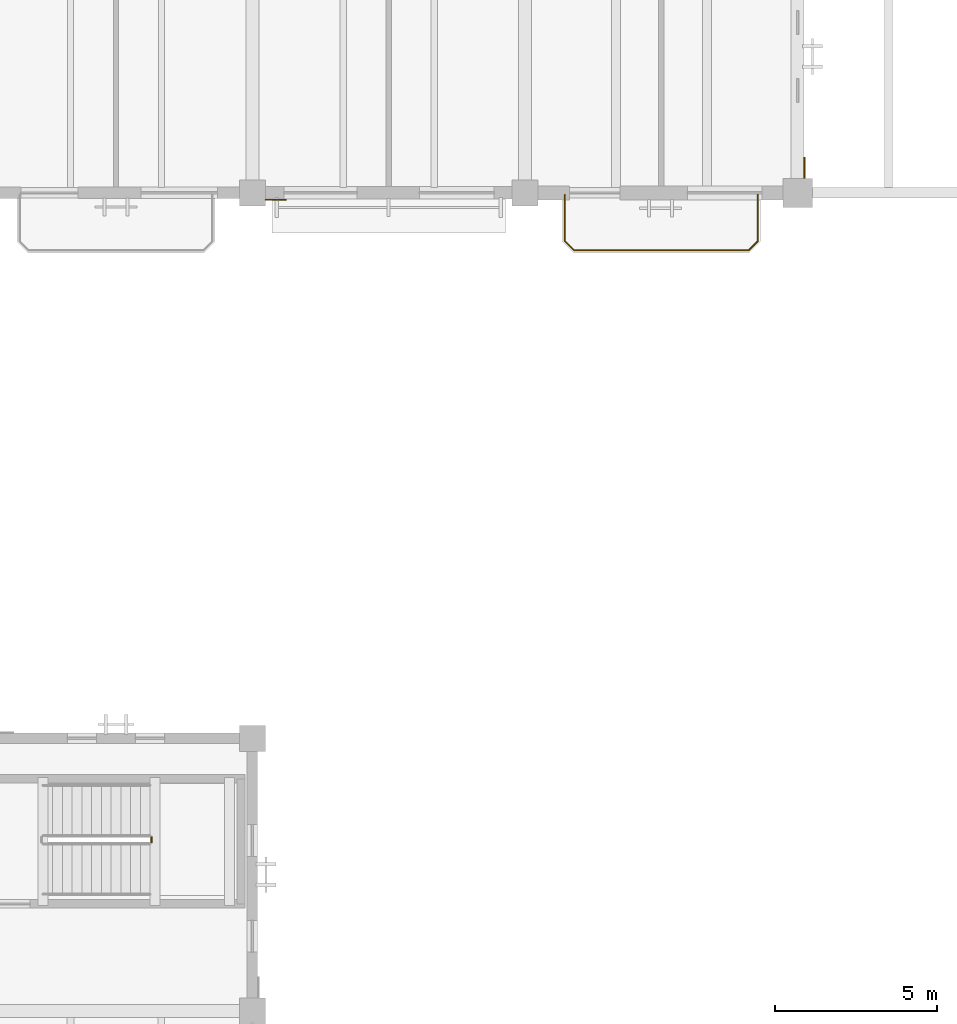
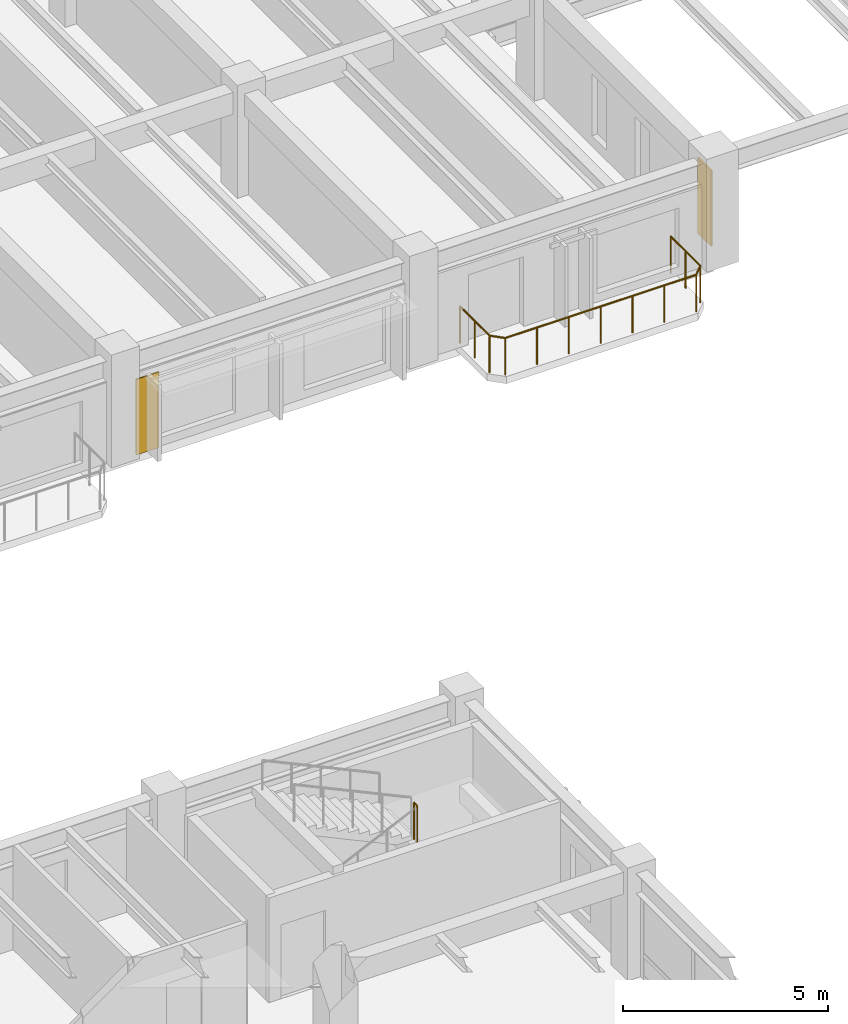
# One storey, part 118 of 123: 2 coverings, 2 railings.
"""IFC4 building model written with IfcOpenShell, lengths in metres."""

from ifc_helpers import new_model, si_unit, direction, frame, origin, origin_2d, place, context, subcontext, project, spatial, polyline, circle, outline, extrude, material, layer, layer_set, type_object, element, save


model = new_model("IFC4")

# Units and contexts
model_context = context("Model", 3, precision=1e-05, world=origin(), true_north=direction((0.0, 1.0)))
body_context = subcontext(model_context, "Body", "Model", "MODEL_VIEW")
ifc_project = project(units=[si_unit("LENGTHUNIT", "METRE"), si_unit("AREAUNIT", "SQUARE_METRE"), si_unit("VOLUMEUNIT", "CUBIC_METRE"), si_unit("PLANEANGLEUNIT", "RADIAN"), si_unit("MASSUNIT", "GRAM", prefix="KILO")], contexts=[model_context])

# Site, building, storey
site_placement = place(None, origin())
site = spatial("IfcSite", under=ifc_project, at=site_placement, CompositionType="ELEMENT")
building_placement = place(site_placement, origin())
building = spatial("IfcBuilding", under=site, at=building_placement, Name="Cumbredor Promenade Congress Hotel", CompositionType="ELEMENT")
storey_placement = place(building_placement, frame((0.0, 0.0, 11.760009765625)))
storey = spatial("IfcBuildingStorey", under=building, at=storey_placement, Name="L03", CompositionType="ELEMENT", Elevation=11.760009765625)

# Covering
ifc_material_1 = material(Name="Precast concrete C40/50", Category="concrete")
ifc_layer_1 = layer(ifc_material_1, 0.044921875, Name="Precast concrete C40/50", Category="concrete")
ifc_layer_set_1 = layer_set([ifc_layer_1], Name="Precast concrete C40/50")
covering_type_1 = type_object("IfcCoveringType", Name="Board-Formed Architectural Cladding Panel 45mm", PredefinedType="CLADDING", material=ifc_layer_set_1)
covering_1_placement = place(storey_placement, origin())
element("IfcCovering", 1, at=covering_1_placement, inside=storey, type_object=covering_type_1, Name="L03 Facade Stone Cladding Pier 162", PredefinedType="CLADDING", context=body_context, shape_type="SweptSolid", body=[
    extrude(outline(polyline([(84.18994140625, 84.450927734375), (84.18994140625, 85.10107421875), (84.235107421875, 85.10107421875), (84.235107421875, 84.450927734375), (84.18994140625, 84.450927734375)])), origin(), (0.0, 0.0, 1.0), 2.25),
])

# Railings
ifc_material_2 = material(Name="Brushed stainless steel", Category="steel")
railing_type_1 = type_object("IfcRailingType", Name="Interior Void & Stair Guardrail GR-1100", PredefinedType="GUARDRAIL", material=ifc_material_2)
railing_1_placement = place(storey_placement, frame((64.10009765625, 64.0, 1.679931640625)))
element("IfcRailing", 2, at=railing_1_placement, inside=storey, type_object=railing_type_1, Name="L03 ST-07 stair guard 2", PredefinedType="GUARDRAIL", context=body_context, shape_type="SweptSolid", body=[
    extrude(circle(Radius=0.02392578125, at=origin_2d()), frame((0.0, 0.0, 1.09619140625), z_axis=(0.0, 1.0, 0.0), x_axis=(-1.0, 0.0, 0.0)), (0.0, 0.0, 1.0), 0.14990234375),
    extrude(circle(Radius=0.02099609375, at=origin_2d()), origin(), (0.0, 0.0, 1.0), 1.072021484375),
    extrude(circle(Radius=0.02099609375, at=origin_2d()), frame((0.0, 0.14990234375, 0.0)), (0.0, 0.0, 1.0), 1.072021484375),
])
railing_type_2 = type_object("IfcRailingType", Name="Terrace Perimeter Balustrade BAL-1120", PredefinedType="BALUSTRADE", material=ifc_material_2)
railing_2_placement = place(storey_placement, frame((76.830078125, 83.949951171875, 0.0)))
element("IfcRailing", 3, at=railing_2_placement, inside=storey, type_object=railing_type_2, Name="L03 Veranda Balcony Balustrade 019", PredefinedType="BALUSTRADE", context=body_context, shape_type="SweptSolid", body=[
    extrude(circle(Radius=0.02392578125, at=origin_2d()), frame((0.0, 0.0, 1.09619140625), z_axis=(0.0, -1.0, 0.0), x_axis=(1.0, 0.0, 0.0)), (0.0, 0.0, 1.0), 1.43994140625),
    extrude(circle(Radius=0.02392578125, at=origin_2d()), frame((0.0, -1.43994140625, 1.09619140625), z_axis=(0.707106781187, -0.707106781187, 0.0), x_axis=(0.707106781187, 0.707106781187, 0.0)), (0.0, 0.0, 1.0), 0.39599609375),
    extrude(circle(Radius=0.02392578125, at=origin_2d()), frame((0.280029296875, -1.719970703125, 1.09619140625), z_axis=(1.0, 0.0, 0.0), x_axis=(0.0, 1.0, 0.0)), (0.0, 0.0, 1.0), 5.3798828125),
    extrude(circle(Radius=0.02392578125, at=origin_2d()), frame((5.659912109375, -1.719970703125, 1.09619140625), z_axis=(0.707106781187, 0.707106781187, 0.0), x_axis=(-0.707106781187, 0.707106781187, 0.0)), (0.0, 0.0, 1.0), 0.39599609375),
    extrude(circle(Radius=0.02392578125, at=origin_2d()), frame((5.93994140625, -1.43994140625, 1.09619140625), z_axis=(0.0, 1.0, 0.0), x_axis=(-1.0, 0.0, 0.0)), (0.0, 0.0, 1.0), 1.43994140625),
    extrude(circle(Radius=0.02099609375, at=origin_2d()), origin(), (0.0, 0.0, 1.0), 1.072021484375),
    extrude(circle(Radius=0.02099609375, at=origin_2d()), frame((0.0, -0.719970703125, 0.0)), (0.0, 0.0, 1.0), 1.072021484375),
    extrude(circle(Radius=0.02099609375, at=origin_2d()), frame((0.0, -1.43994140625, 0.0)), (0.0, 0.0, 1.0), 1.072021484375),
    extrude(circle(Radius=0.02099609375, at=origin_2d()), frame((0.280029296875, -1.719970703125, 0.0)), (0.0, 0.0, 1.0), 1.072021484375),
    extrude(circle(Radius=0.02099609375, at=origin_2d()), frame((1.1767578125, -1.719970703125, 0.0)), (0.0, 0.0, 1.0), 1.072021484375),
    extrude(circle(Radius=0.02099609375, at=origin_2d()), frame((2.0732421875, -1.719970703125, 0.0)), (0.0, 0.0, 1.0), 1.072021484375),
    extrude(circle(Radius=0.02099609375, at=origin_2d()), frame((2.969970703125, -1.719970703125, 0.0)), (0.0, 0.0, 1.0), 1.072021484375),
    extrude(circle(Radius=0.02099609375, at=origin_2d()), frame((3.86669921875, -1.719970703125, 0.0)), (0.0, 0.0, 1.0), 1.072021484375),
    extrude(circle(Radius=0.02099609375, at=origin_2d()), frame((4.76318359375, -1.719970703125, 0.0)), (0.0, 0.0, 1.0), 1.072021484375),
    extrude(circle(Radius=0.02099609375, at=origin_2d()), frame((5.659912109375, -1.719970703125, 0.0)), (0.0, 0.0, 1.0), 1.072021484375),
    extrude(circle(Radius=0.02099609375, at=origin_2d()), frame((5.93994140625, -1.43994140625, 0.0)), (0.0, 0.0, 1.0), 1.072021484375),
    extrude(circle(Radius=0.02099609375, at=origin_2d()), frame((5.93994140625, -0.719970703125, 0.0)), (0.0, 0.0, 1.0), 1.072021484375),
    extrude(circle(Radius=0.02099609375, at=origin_2d()), frame((5.93994140625, 0.0, 0.0)), (0.0, 0.0, 1.0), 1.072021484375),
])

# Covering
ifc_material_3 = material(Name="Volcanic andesite ashlar cladding", Category="masonry")
ifc_layer_2 = layer(ifc_material_3, 0.034912109375, Name="Volcanic andesite ashlar cladding", Category="masonry")
ifc_layer_set_2 = layer_set([ifc_layer_2], Name="Volcanic andesite ashlar cladding")
covering_type_2 = type_object("IfcCoveringType", Name="Volcanic Andesite Ashlar Rainscreen Cladding 35mm", PredefinedType="CLADDING", material=ifc_layer_set_2)
covering_2_placement = place(storey_placement, origin())
element("IfcCovering", 4, at=covering_2_placement, inside=storey, type_object=covering_type_2, Name="L03 Facade Stone Cladding Pier 155", PredefinedType="CLADDING", context=body_context, shape_type="SweptSolid", body=[
    extrude(outline(polyline([(67.60107421875, 83.81005859375), (68.2509765625, 83.81005859375), (68.2509765625, 83.77490234375), (67.60107421875, 83.77490234375), (67.60107421875, 83.81005859375)])), origin(), (0.0, 0.0, 1.0), 2.25),
])

save(model, "model.ifc")
